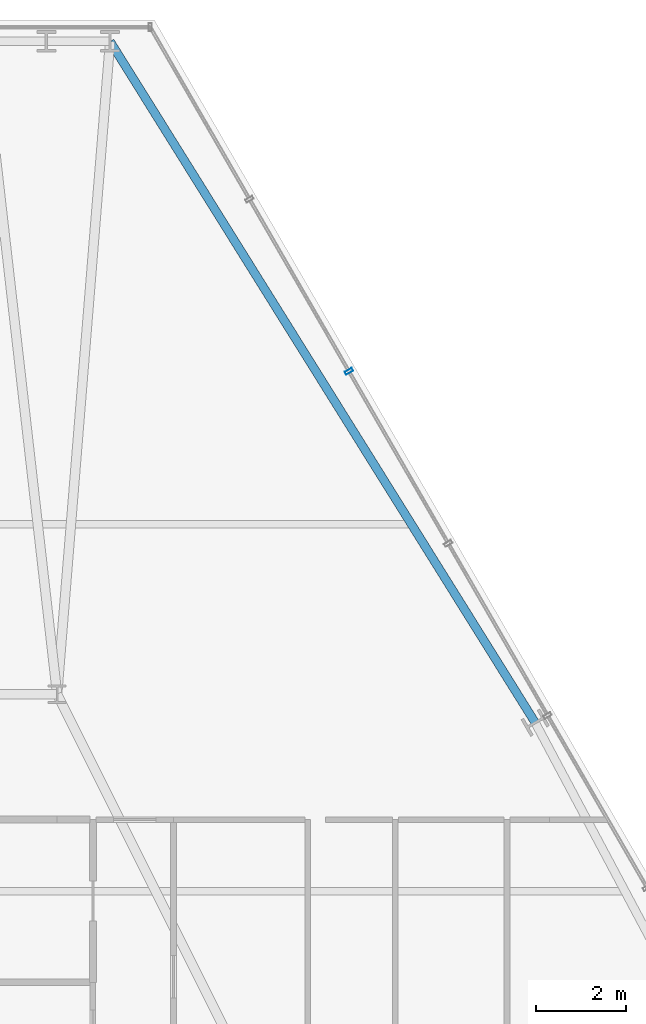
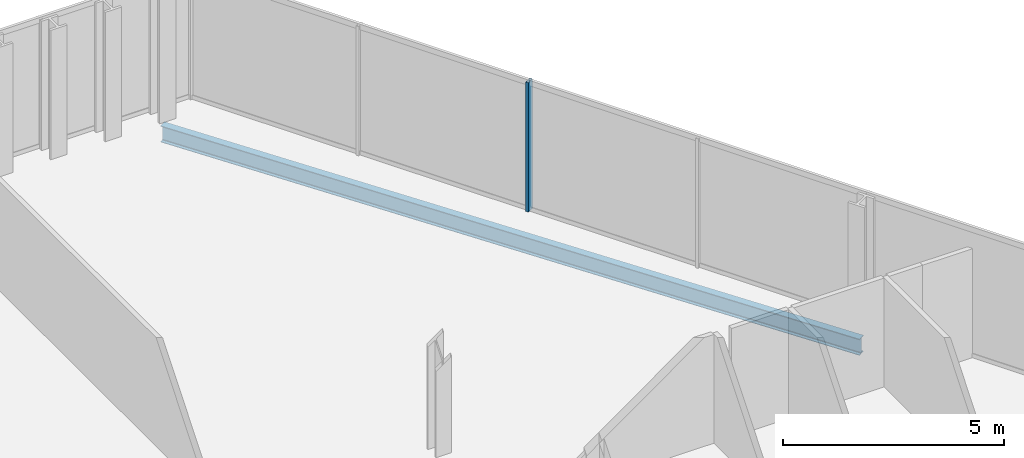
# One storey, part 23 of 31: 1 beam, 1 member, 1 element without a shape of its own.
"""IFC4 building model written with IfcOpenShell, lengths in metres."""

from ifc_helpers import new_model, si_unit, direction, frame, origin, origin_2d, place, context, subcontext, project, spatial, hollow_rectangle, i_section, extrude, material, layer, layer_set, material_profile, profile_set, type_object, element, aggregate, save


model = new_model("IFC4")

# Units and contexts
model_context = context("Model", 3, precision=1e-05, world=origin(), true_north=direction((0.0, 1.0)))
body_context = subcontext(model_context, "Body", "Model", "MODEL_VIEW")
ifc_project = project(units=[si_unit("LENGTHUNIT", "METRE"), si_unit("AREAUNIT", "SQUARE_METRE"), si_unit("VOLUMEUNIT", "CUBIC_METRE"), si_unit("PLANEANGLEUNIT", "RADIAN"), si_unit("MASSUNIT", "GRAM", prefix="KILO")], contexts=[model_context])

# Site, building, storey
site_placement = place(None, origin())
site = spatial("IfcSite", under=ifc_project, at=site_placement, CompositionType="ELEMENT")
building_placement = place(site_placement, origin())
building = spatial("IfcBuilding", under=site, at=building_placement, Name="Ndaravel Arena Tower", CompositionType="ELEMENT")
storey_placement = place(building_placement, frame((0.0, 0.0, 142.199951171875)))
storey = spatial("IfcBuildingStorey", under=building, at=storey_placement, Name="L33", CompositionType="ELEMENT", Elevation=142.199951171875)

# Beam
ifc_material_1 = material(Name="Steel S355", Category="steel")
ifc_material_profile_1 = material_profile(ifc_material_1, i_section(OverallWidth=0.18994140625, OverallDepth=0.449951171875, WebThickness=0.009521484375, FlangeThickness=0.0146484375, FilletRadius=0.02099609375, at=origin_2d()), Name="IPE 450")
ifc_profile_set_1 = profile_set([ifc_material_profile_1], Name="Steel S355")
beam_type = type_object("IfcBeamType", Name="BM-SPAN-IPE450", PredefinedType="SPANDREL", material=ifc_profile_set_1)
beam_placement = place(storey_placement, frame((56.482421875, 30.564208984375, -0.445068359375), z_axis=(-0.529460656286, 0.848334493844, 0.0), x_axis=(-0.848334493844, -0.529460656286, 0.0)))
element("IfcBeam", 1, at=beam_placement, inside=storey, type_object=beam_type, Name="L33 Perimeter Spandrel Beam SP-10", PredefinedType="SPANDREL", context=body_context, shape_type="SweptSolid", body=[
    extrude(i_section(OverallWidth=0.18994140625, OverallDepth=0.449951171875, WebThickness=0.009521484375, FlangeThickness=0.0146484375, FilletRadius=0.02099609375, at=origin_2d()), origin(), (0.0, 0.0, 1.0), 17.94189453125),
])

# Curtain wall, member
ifc_material_2 = material(Name="Aluminium", Category="aluminium")
ifc_layer = layer(ifc_material_2, 0.179931640625)
ifc_layer_set = layer_set([ifc_layer], Name="Aluminium")
curtain_wall_type = type_object("IfcCurtainWallType", Name="CW-SYS-03", PredefinedType="NOTDEFINED", material=ifc_layer_set)
curtain_wall_placement = place(storey_placement, origin())
curtain_wall = element("IfcCurtainWall", 2, at=curtain_wall_placement, inside=storey, type_object=curtain_wall_type, Name="L33 Faceted Crystal Curtain Wall CW-L33-E03", PredefinedType="NOTDEFINED")
ifc_material_3 = material(Name="Aluminium", Category="aluminium")
ifc_material_profile_2 = material_profile(ifc_material_3, hollow_rectangle(XDim=0.074951171875, YDim=0.179931640625, WallThickness=0.00390625, at=origin_2d()), Name="CW MULLION 75x180x4")
ifc_profile_set_2 = profile_set([ifc_material_profile_2], Name="Aluminium")
member_type = type_object("IfcMemberType", Name="MEM-CW-MUL180", PredefinedType="MULLION", material=ifc_profile_set_2)
member_placement = place(storey_placement, frame((52.3193359375, 38.41455078125, 0.0), z_axis=(0.0, 0.0, 1.0), x_axis=(-0.5, 0.866025403784, 0.0)))
member = element("IfcMember", 3, at=member_placement, type_object=member_type, Name="CW-L33-E03 Mullion 06", PredefinedType="MULLION", context=body_context, shape_type="SweptSolid", body=[
    extrude(hollow_rectangle(XDim=0.074951171875, YDim=0.179931640625, WallThickness=0.00390625, at=origin_2d()), origin(), (0.0, 0.0, 1.0), 3.580078125),
])
aggregate(curtain_wall, [member])

save(model, "model.ifc")
